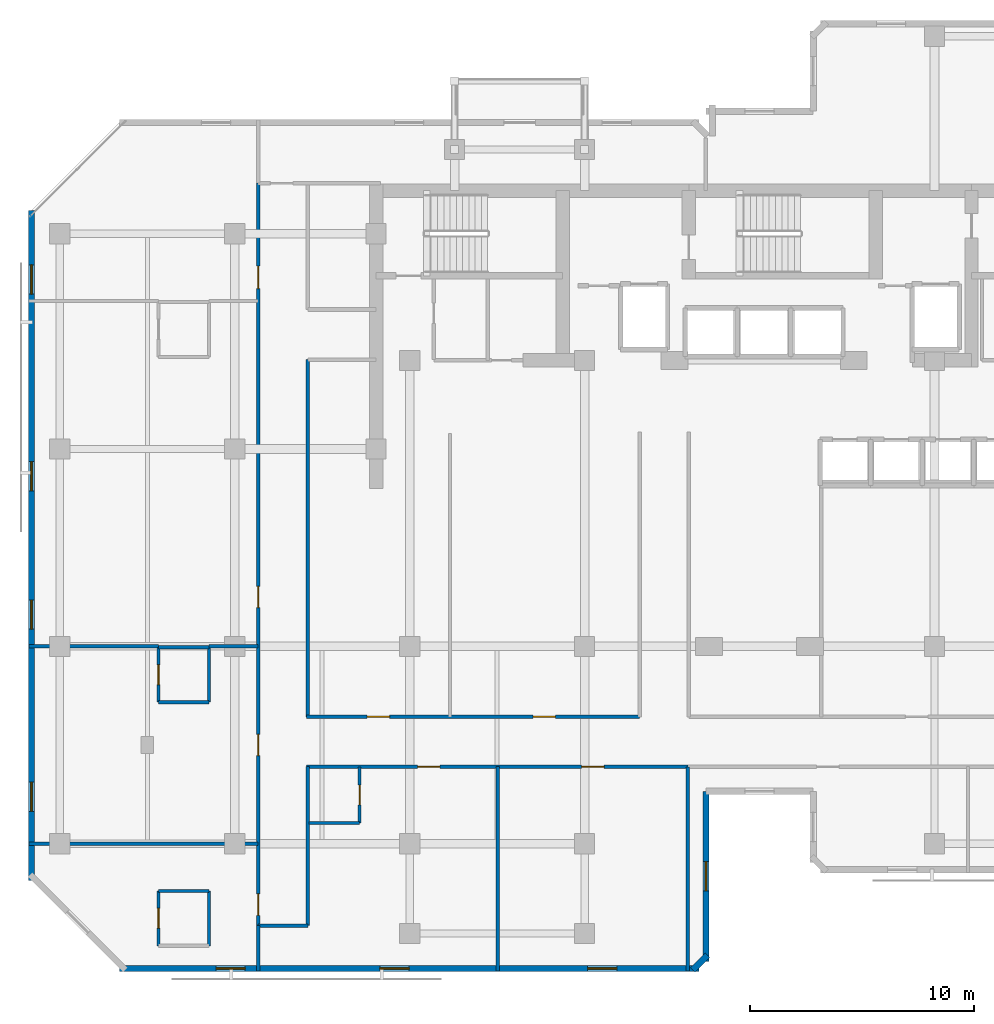
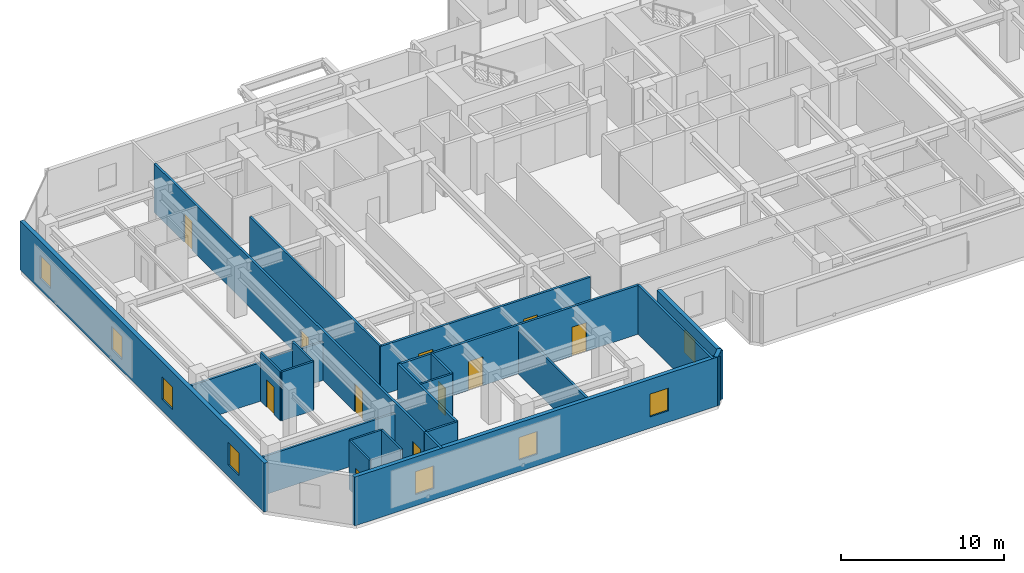
# One storey, part 4 of 10: 25 walls, 11 doors, 8 windows, 19 openings.
"""IFC4 building model written with IfcOpenShell, lengths in metres."""

from ifc_helpers import new_model, si_unit, direction, frame, frame_2d, origin, place, context, subcontext, project, spatial, rectangle, extrude, material, layer, layer_set, type_object, element, fill, save


model = new_model("IFC4")

# Units and contexts
model_context = context("Model", 3, precision=1e-05, world=origin(), true_north=direction((0.0, 1.0)))
body_context = subcontext(model_context, "Body", "Model", "MODEL_VIEW")
ifc_project = project(units=[si_unit("LENGTHUNIT", "METRE"), si_unit("AREAUNIT", "SQUARE_METRE"), si_unit("VOLUMEUNIT", "CUBIC_METRE"), si_unit("PLANEANGLEUNIT", "RADIAN"), si_unit("MASSUNIT", "GRAM", prefix="KILO")], contexts=[model_context])

# Site, building, storey
site_placement = place(None, origin())
site = spatial("IfcSite", under=ifc_project, at=site_placement, CompositionType="ELEMENT")
building_placement = place(site_placement, origin())
building = spatial("IfcBuilding", under=site, at=building_placement, Name="Kestravale Grand Hotel", CompositionType="ELEMENT")
storey_placement = place(building_placement, frame((0.0, 0.0, 212.39990234375)))
storey = spatial("IfcBuildingStorey", under=building, at=storey_placement, Name="L53", CompositionType="ELEMENT", Elevation=212.39990234375)

# Wall, openings, windows
ifc_material_1 = material(Name="Precast concrete f'c 45 MPa", Category="concrete")
ifc_layer_1 = layer(ifc_material_1, 0.280029296875)
ifc_layer_set_1 = layer_set([ifc_layer_1], Name="EW-PREC-280")
wall_type_1 = type_object("IfcWallType", Name="EW-PREC-280", PredefinedType="SOLIDWALL", material=ifc_layer_set_1)
wall_1_placement = place(storey_placement, frame((10.4599609375, 5.639892578125, 0.0), z_axis=(0.0, 0.0, 1.0), x_axis=(1.0, 0.0, 0.0)))
wall_1 = element("IfcWall", 1, at=wall_1_placement, inside=storey, type_object=wall_type_1, Name="L53 fluted precast facade wall 1", PredefinedType="SOLIDWALL", context=body_context, shape_type="SweptSolid", body=[
    extrude(rectangle(XDim=25.830078125, YDim=0.280029296875, at=frame_2d((12.9150390625, 0.0))), origin(), (0.0, 0.0, 1.0), 3.650146484375),
])
opening_1_placement = place(wall_1_placement, frame((4.304931640625, 0.0, 0.85009765625)))
opening_1 = element("IfcOpeningElement", 2, at=opening_1_placement, cuts=wall_1, Name="Opening W-GUEST-1300", PredefinedType="OPENING", context=body_context, shape_type="SweptSolid", body=[
    extrude(rectangle(XDim=1.300048828125, YDim=1.699951171875, at=frame_2d((0.64990234375, 0.85009765625))), frame((0.0, 0.14990234375, 0.0), z_axis=(0.0, -1.0, 0.0), x_axis=(1.0, 0.0, 0.0)), (0.0, 0.0, 1.0), 0.300048828125),
])
opening_2_placement = place(wall_1_placement, frame((11.614990234375, 0.0, 0.85009765625)))
opening_2 = element("IfcOpeningElement", 3, at=opening_2_placement, cuts=wall_1, Name="Opening W-GUEST-1300", PredefinedType="OPENING", context=body_context, shape_type="SweptSolid", body=[
    extrude(rectangle(XDim=1.300048828125, YDim=1.699951171875, at=frame_2d((0.64990234375, 0.85009765625))), frame((0.0, 0.14990234375, 0.0), z_axis=(0.0, -1.0, 0.0), x_axis=(1.0, 0.0, 0.0)), (0.0, 0.0, 1.0), 0.300048828125),
])
opening_3_placement = place(wall_1_placement, frame((20.875, 0.0, 0.85009765625)))
opening_3 = element("IfcOpeningElement", 4, at=opening_3_placement, cuts=wall_1, Name="Opening W-GUEST-1300", PredefinedType="OPENING", context=body_context, shape_type="SweptSolid", body=[
    extrude(rectangle(XDim=1.300048828125, YDim=1.699951171875, at=frame_2d((0.64990234375, 0.85009765625))), frame((0.0, 0.14990234375, 0.0), z_axis=(0.0, -1.0, 0.0), x_axis=(1.0, 0.0, 0.0)), (0.0, 0.0, 1.0), 0.300048828125),
])
ifc_material_2 = material(Name="Insulated low-E double glazing in aluminium frame", Category="aluminium")
window_type = type_object("IfcWindowType", Name="W-GUEST-1300", PartitioningType="SINGLE_PANEL", PredefinedType="WINDOW", material=ifc_material_2)
window_1_placement = place(opening_1_placement, origin())
window_1 = element("IfcWindow", 5, at=window_1_placement, inside=storey, type_object=window_type, Name="L53 exterior window 1.1", OverallHeight=1.699951171875, OverallWidth=1.300048828125, PartitioningType="SINGLE_PANEL", PredefinedType="WINDOW", context=body_context, shape_type="SweptSolid", body=[
    extrude(rectangle(XDim=1.300048828125, YDim=1.699951171875, at=frame_2d((0.64990234375, 0.85009765625))), frame((0.0, 0.030029296875, 0.0), z_axis=(0.0, -1.0, 0.0), x_axis=(1.0, 0.0, 0.0)), (0.0, 0.0, 1.0), 0.06005859375),
])
fill(opening_1, window_1)
window_2_placement = place(opening_2_placement, origin())
window_2 = element("IfcWindow", 6, at=window_2_placement, inside=storey, type_object=window_type, Name="L53 exterior window 1.2", OverallHeight=1.699951171875, OverallWidth=1.300048828125, PartitioningType="SINGLE_PANEL", PredefinedType="WINDOW", context=body_context, shape_type="SweptSolid", body=[
    extrude(rectangle(XDim=1.300048828125, YDim=1.699951171875, at=frame_2d((0.64990234375, 0.85009765625))), frame((0.0, 0.030029296875, 0.0), z_axis=(0.0, -1.0, 0.0), x_axis=(1.0, 0.0, 0.0)), (0.0, 0.0, 1.0), 0.06005859375),
])
fill(opening_2, window_2)
window_3_placement = place(opening_3_placement, origin())
window_3 = element("IfcWindow", 7, at=window_3_placement, inside=storey, type_object=window_type, Name="L53 exterior window 1.3", OverallHeight=1.699951171875, OverallWidth=1.300048828125, PartitioningType="SINGLE_PANEL", PredefinedType="WINDOW", context=body_context, shape_type="SweptSolid", body=[
    extrude(rectangle(XDim=1.300048828125, YDim=1.699951171875, at=frame_2d((0.64990234375, 0.85009765625))), frame((0.0, 0.030029296875, 0.0), z_axis=(0.0, -1.0, 0.0), x_axis=(1.0, 0.0, 0.0)), (0.0, 0.0, 1.0), 0.06005859375),
])
fill(opening_3, window_3)

# Wall
wall_2_placement = place(storey_placement, frame((36.022705078125, 5.57080078125, 0.0), z_axis=(0.0, 0.0, 1.0), x_axis=(0.707106781187, 0.707106781187, 0.0)))
element("IfcWall", 8, at=wall_2_placement, inside=storey, type_object=wall_type_1, Name="L53 fluted precast facade wall 2", PredefinedType="SOLIDWALL", context=body_context, shape_type="SweptSolid", body=[
    extrude(rectangle(XDim=0.928466796875, YDim=0.280029296875, at=frame_2d((0.46435546875, 0.0))), origin(), (0.0, 0.0, 1.0), 3.650146484375),
])

# Wall, opening, window
wall_3_placement = place(storey_placement, frame((36.610107421875, 5.9599609375, 0.0), z_axis=(0.0, 0.0, 1.0), x_axis=(0.0, 1.0, 0.0)))
wall_3 = element("IfcWall", 9, at=wall_3_placement, inside=storey, type_object=wall_type_1, Name="L53 fluted precast facade wall 3", PredefinedType="SOLIDWALL", context=body_context, shape_type="SweptSolid", body=[
    extrude(rectangle(XDim=7.580078125, YDim=0.280029296875, at=frame_2d((3.7900390625, 0.0))), origin(), (0.0, 0.0, 1.0), 3.650146484375),
])
opening_4_placement = place(wall_3_placement, frame((3.139892578125, 0.0, 0.85009765625)))
opening_4 = element("IfcOpeningElement", 10, at=opening_4_placement, cuts=wall_3, Name="Opening W-GUEST-1300", PredefinedType="OPENING", context=body_context, shape_type="SweptSolid", body=[
    extrude(rectangle(XDim=1.300048828125, YDim=1.699951171875, at=frame_2d((0.64990234375, 0.85009765625))), frame((0.0, 0.14990234375, 0.0), z_axis=(0.0, -1.0, 0.0), x_axis=(1.0, 0.0, 0.0)), (0.0, 0.0, 1.0), 0.300048828125),
])
window_4_placement = place(opening_4_placement, origin())
window_4 = element("IfcWindow", 11, at=window_4_placement, inside=storey, type_object=window_type, Name="L53 exterior window 3.1", OverallHeight=1.699951171875, OverallWidth=1.300048828125, PartitioningType="SINGLE_PANEL", PredefinedType="WINDOW", context=body_context, shape_type="SweptSolid", body=[
    extrude(rectangle(XDim=1.300048828125, YDim=1.699951171875, at=frame_2d((0.64990234375, 0.85009765625))), frame((0.0, 0.030029296875, 0.0), z_axis=(0.0, -1.0, 0.0), x_axis=(1.0, 0.0, 0.0)), (0.0, 0.0, 1.0), 0.06005859375),
])
fill(opening_4, window_4)

# Wall, openings, windows
wall_4_placement = place(storey_placement, frame((6.5400390625, 39.43994140625, 0.0), z_axis=(0.0, 0.0, 1.0), x_axis=(0.0, -1.0, 0.0)))
wall_4 = element("IfcWall", 12, at=wall_4_placement, inside=storey, type_object=wall_type_1, Name="L53 fluted precast facade wall 19", PredefinedType="SOLIDWALL", context=body_context, shape_type="SweptSolid", body=[
    extrude(rectangle(XDim=29.8798828125, YDim=0.280029296875, at=frame_2d((14.93994140625, 0.0))), origin(), (0.0, 0.0, 1.0), 3.650146484375),
])
opening_5_placement = place(wall_4_placement, frame((2.43505859375, 0.0, 0.85009765625)))
opening_5 = element("IfcOpeningElement", 13, at=opening_5_placement, cuts=wall_4, Name="Opening W-GUEST-1300", PredefinedType="OPENING", context=body_context, shape_type="SweptSolid", body=[
    extrude(rectangle(XDim=1.300048828125, YDim=1.699951171875, at=frame_2d((0.64990234375, 0.85009765625))), frame((0.0, 0.14990234375, 0.0), z_axis=(0.0, -1.0, 0.0), x_axis=(1.0, 0.0, 0.0)), (0.0, 0.0, 1.0), 0.300048828125),
])
opening_6_placement = place(wall_4_placement, frame((11.205078125, 0.0, 0.85009765625)))
opening_6 = element("IfcOpeningElement", 14, at=opening_6_placement, cuts=wall_4, Name="Opening W-GUEST-1300", PredefinedType="OPENING", context=body_context, shape_type="SweptSolid", body=[
    extrude(rectangle(XDim=1.300048828125, YDim=1.699951171875, at=frame_2d((0.64990234375, 0.85009765625))), frame((0.0, 0.14990234375, 0.0), z_axis=(0.0, -1.0, 0.0), x_axis=(1.0, 0.0, 0.0)), (0.0, 0.0, 1.0), 0.300048828125),
])
opening_7_placement = place(wall_4_placement, frame((17.375, 0.0, 0.85009765625)))
opening_7 = element("IfcOpeningElement", 15, at=opening_7_placement, cuts=wall_4, Name="Opening W-GUEST-1300", PredefinedType="OPENING", context=body_context, shape_type="SweptSolid", body=[
    extrude(rectangle(XDim=1.300048828125, YDim=1.699951171875, at=frame_2d((0.64990234375, 0.85009765625))), frame((0.0, 0.14990234375, 0.0), z_axis=(0.0, -1.0, 0.0), x_axis=(1.0, 0.0, 0.0)), (0.0, 0.0, 1.0), 0.300048828125),
])
opening_8_placement = place(wall_4_placement, frame((25.4951171875, 0.0, 0.85009765625)))
opening_8 = element("IfcOpeningElement", 16, at=opening_8_placement, cuts=wall_4, Name="Opening W-GUEST-1300", PredefinedType="OPENING", context=body_context, shape_type="SweptSolid", body=[
    extrude(rectangle(XDim=1.300048828125, YDim=1.699951171875, at=frame_2d((0.64990234375, 0.85009765625))), frame((0.0, 0.14990234375, 0.0), z_axis=(0.0, -1.0, 0.0), x_axis=(1.0, 0.0, 0.0)), (0.0, 0.0, 1.0), 0.300048828125),
])
window_5_placement = place(opening_5_placement, origin())
window_5 = element("IfcWindow", 17, at=window_5_placement, inside=storey, type_object=window_type, Name="L53 exterior window 19.1", OverallHeight=1.699951171875, OverallWidth=1.300048828125, PartitioningType="SINGLE_PANEL", PredefinedType="WINDOW", context=body_context, shape_type="SweptSolid", body=[
    extrude(rectangle(XDim=1.300048828125, YDim=1.699951171875, at=frame_2d((0.64990234375, 0.85009765625))), frame((0.0, 0.030029296875, 0.0), z_axis=(0.0, -1.0, 0.0), x_axis=(1.0, 0.0, 0.0)), (0.0, 0.0, 1.0), 0.06005859375),
])
fill(opening_5, window_5)
window_6_placement = place(opening_6_placement, origin())
window_6 = element("IfcWindow", 18, at=window_6_placement, inside=storey, type_object=window_type, Name="L53 exterior window 19.2", OverallHeight=1.699951171875, OverallWidth=1.300048828125, PartitioningType="SINGLE_PANEL", PredefinedType="WINDOW", context=body_context, shape_type="SweptSolid", body=[
    extrude(rectangle(XDim=1.300048828125, YDim=1.699951171875, at=frame_2d((0.64990234375, 0.85009765625))), frame((0.0, 0.030029296875, 0.0), z_axis=(0.0, -1.0, 0.0), x_axis=(1.0, 0.0, 0.0)), (0.0, 0.0, 1.0), 0.06005859375),
])
fill(opening_6, window_6)
window_7_placement = place(opening_7_placement, origin())
window_7 = element("IfcWindow", 19, at=window_7_placement, inside=storey, type_object=window_type, Name="L53 exterior window 19.3", OverallHeight=1.699951171875, OverallWidth=1.300048828125, PartitioningType="SINGLE_PANEL", PredefinedType="WINDOW", context=body_context, shape_type="SweptSolid", body=[
    extrude(rectangle(XDim=1.300048828125, YDim=1.699951171875, at=frame_2d((0.64990234375, 0.85009765625))), frame((0.0, 0.030029296875, 0.0), z_axis=(0.0, -1.0, 0.0), x_axis=(1.0, 0.0, 0.0)), (0.0, 0.0, 1.0), 0.06005859375),
])
fill(opening_7, window_7)
window_8_placement = place(opening_8_placement, origin())
window_8 = element("IfcWindow", 20, at=window_8_placement, inside=storey, type_object=window_type, Name="L53 exterior window 19.4", OverallHeight=1.699951171875, OverallWidth=1.300048828125, PartitioningType="SINGLE_PANEL", PredefinedType="WINDOW", context=body_context, shape_type="SweptSolid", body=[
    extrude(rectangle(XDim=1.300048828125, YDim=1.699951171875, at=frame_2d((0.64990234375, 0.85009765625))), frame((0.0, 0.030029296875, 0.0), z_axis=(0.0, -1.0, 0.0), x_axis=(1.0, 0.0, 0.0)), (0.0, 0.0, 1.0), 0.06005859375),
])
fill(opening_8, window_8)

# Wall, openings, doors
ifc_material_3 = material(Name="Acoustic fire-rated gypsum board partition", Category="other")
ifc_layer_2 = layer(ifc_material_3, 0.159912109375)
ifc_layer_set_2 = layer_set([ifc_layer_2], Name="IW-CORR-160")
wall_type_2 = type_object("IfcWallType", Name="IW-CORR-160", PredefinedType="PARTITIONING", material=ifc_layer_set_2)
wall_5_placement = place(storey_placement, frame((18.800048828125, 16.860107421875, 0.0), z_axis=(0.0, 0.0, 1.0), x_axis=(1.0, 0.0, 0.0)))
wall_5 = element("IfcWall", 21, at=wall_5_placement, inside=storey, type_object=wall_type_2, Name="W-L53-CW-N", PredefinedType="PARTITIONING", context=body_context, shape_type="SweptSolid", body=[
    extrude(rectangle(XDim=14.849853515625, YDim=0.159912109375, at=frame_2d((7.4248046875, 0.0))), origin(), (0.0, 0.0, 1.0), 3.650146484375),
])
opening_9_placement = place(wall_5_placement, frame((2.699951171875, 0.0, 0.0)))
opening_9 = element("IfcOpeningElement", 22, at=opening_9_placement, cuts=wall_5, Name="Opening D-GUEST-1000", PredefinedType="OPENING", context=body_context, shape_type="SweptSolid", body=[
    extrude(rectangle(XDim=1.0, YDim=2.14990234375, at=frame_2d((0.5, 1.074951171875))), frame((0.0, 0.08984375, 0.0), z_axis=(0.0, -1.0, 0.0), x_axis=(1.0, 0.0, 0.0)), (0.0, 0.0, 1.0), 0.179931640625),
])
opening_10_placement = place(wall_5_placement, frame((10.10009765625, 0.0, 0.0)))
opening_10 = element("IfcOpeningElement", 23, at=opening_10_placement, cuts=wall_5, Name="Opening D-GUEST-1000", PredefinedType="OPENING", context=body_context, shape_type="SweptSolid", body=[
    extrude(rectangle(XDim=1.0, YDim=2.14990234375, at=frame_2d((0.5, 1.074951171875))), frame((0.0, 0.08984375, 0.0), z_axis=(0.0, -1.0, 0.0), x_axis=(1.0, 0.0, 0.0)), (0.0, 0.0, 1.0), 0.179931640625),
])
ifc_material_4 = material(Name="Accessible walnut veneer hotel entrance fire door", Category="wood")
door_type_1 = type_object("IfcDoorType", Name="D-GUEST-1000", OperationType="NOTDEFINED", PredefinedType="DOOR", material=ifc_material_4)
door_1_placement = place(opening_9_placement, origin())
door_1 = element("IfcDoor", 24, at=door_1_placement, inside=storey, type_object=door_type_1, Name="D-L53-RECL-W1", OperationType="SINGLE_SWING_LEFT", OverallHeight=2.14990234375, OverallWidth=1.0, PredefinedType="DOOR", context=body_context, shape_type="SweptSolid", body=[
    extrude(rectangle(XDim=1.0, YDim=2.14990234375, at=frame_2d((0.5, 1.074951171875))), frame((0.0, 0.02490234375, 0.0), z_axis=(0.0, -1.0, 0.0), x_axis=(1.0, 0.0, 0.0)), (0.0, 0.0, 1.0), 0.050048828125),
])
fill(opening_9, door_1)
door_2_placement = place(opening_10_placement, origin())
door_2 = element("IfcDoor", 25, at=door_2_placement, inside=storey, type_object=door_type_1, Name="D-L53-RECL-W2", OperationType="SINGLE_SWING_RIGHT", OverallHeight=2.14990234375, OverallWidth=1.0, PredefinedType="DOOR", context=body_context, shape_type="SweptSolid", body=[
    extrude(rectangle(XDim=1.0, YDim=2.14990234375, at=frame_2d((0.5, 1.074951171875))), frame((0.0, 0.02490234375, 0.0), z_axis=(0.0, -1.0, 0.0), x_axis=(1.0, 0.0, 0.0)), (0.0, 0.0, 1.0), 0.050048828125),
])
fill(opening_10, door_2)

wall_6_placement = place(storey_placement, frame((18.800048828125, 14.639892578125, 0.0), z_axis=(0.0, 0.0, 1.0), x_axis=(1.0, 0.0, 0.0)))
wall_6 = element("IfcWall", 26, at=wall_6_placement, inside=storey, type_object=wall_type_2, Name="W-L53-CW-S", PredefinedType="PARTITIONING", context=body_context, shape_type="SweptSolid", body=[
    extrude(rectangle(XDim=17.0, YDim=0.159912109375, at=frame_2d((8.5, 0.0))), origin(), (0.0, 0.0, 1.0), 3.650146484375),
])
opening_11_placement = place(wall_6_placement, frame((4.949951171875, 0.0, 0.0)))
opening_11 = element("IfcOpeningElement", 27, at=opening_11_placement, cuts=wall_6, Name="Opening D-GUEST-1000", PredefinedType="OPENING", context=body_context, shape_type="SweptSolid", body=[
    extrude(rectangle(XDim=1.0, YDim=2.14990234375, at=frame_2d((0.5, 1.074951171875))), frame((0.0, 0.08984375, 0.0), z_axis=(0.0, -1.0, 0.0), x_axis=(1.0, 0.0, 0.0)), (0.0, 0.0, 1.0), 0.179931640625),
])
opening_12_placement = place(wall_6_placement, frame((12.264892578125, 0.0, 0.0)))
opening_12 = element("IfcOpeningElement", 28, at=opening_12_placement, cuts=wall_6, Name="Opening D-GUEST-1000", PredefinedType="OPENING", context=body_context, shape_type="SweptSolid", body=[
    extrude(rectangle(XDim=1.0, YDim=2.14990234375, at=frame_2d((0.5, 1.074951171875))), frame((0.0, 0.08984375, 0.0), z_axis=(0.0, -1.0, 0.0), x_axis=(1.0, 0.0, 0.0)), (0.0, 0.0, 1.0), 0.179931640625),
])
door_3_placement = place(opening_11_placement, origin())
door_3 = element("IfcDoor", 29, at=door_3_placement, inside=storey, type_object=door_type_1, Name="D-L53-U01-ENT", OperationType="SINGLE_SWING_RIGHT", OverallHeight=2.14990234375, OverallWidth=1.0, PredefinedType="DOOR", context=body_context, shape_type="SweptSolid", body=[
    extrude(rectangle(XDim=1.0, YDim=2.14990234375, at=frame_2d((0.5, 1.074951171875))), frame((0.0, 0.02490234375, 0.0), z_axis=(0.0, -1.0, 0.0), x_axis=(1.0, 0.0, 0.0)), (0.0, 0.0, 1.0), 0.050048828125),
])
fill(opening_11, door_3)
door_4_placement = place(opening_12_placement, origin())
door_4 = element("IfcDoor", 30, at=door_4_placement, inside=storey, type_object=door_type_1, Name="D-L53-AMW", OperationType="SINGLE_SWING_LEFT", OverallHeight=2.14990234375, OverallWidth=1.0, PredefinedType="DOOR", context=body_context, shape_type="SweptSolid", body=[
    extrude(rectangle(XDim=1.0, YDim=2.14990234375, at=frame_2d((0.5, 1.074951171875))), frame((0.0, 0.02490234375, 0.0), z_axis=(0.0, -1.0, 0.0), x_axis=(1.0, 0.0, 0.0)), (0.0, 0.0, 1.0), 0.050048828125),
])
fill(opening_12, door_4)

wall_7_placement = place(storey_placement, frame((16.639892578125, 7.550048828125, 0.0), z_axis=(0.0, 0.0, 1.0), x_axis=(0.0, 1.0, 0.0)))
wall_7 = element("IfcWall", 31, at=wall_7_placement, inside=storey, type_object=wall_type_2, Name="W-L53-SW-W", PredefinedType="PARTITIONING", context=body_context, shape_type="SweptSolid", body=[
    extrude(rectangle(XDim=33.099853515625, YDim=0.159912109375, at=frame_2d((16.5498046875, 0.0))), origin(), (0.0, 0.0, 1.0), 3.650146484375),
])
opening_13_placement = place(wall_7_placement, frame((0.4599609375, 0.0, 0.0)))
opening_13 = element("IfcOpeningElement", 32, at=opening_13_placement, cuts=wall_7, Name="Opening D-GUEST-950", PredefinedType="OPENING", context=body_context, shape_type="SweptSolid", body=[
    extrude(rectangle(XDim=0.949951171875, YDim=2.10009765625, at=frame_2d((0.47509765625, 1.050048828125))), frame((0.0, 0.08984375, 0.0), z_axis=(0.0, -1.0, 0.0), x_axis=(1.0, 0.0, 0.0)), (0.0, 0.0, 1.0), 0.179931640625),
])
opening_14_placement = place(wall_7_placement, frame((7.574951171875, 0.0, 0.0)))
opening_14 = element("IfcOpeningElement", 33, at=opening_14_placement, cuts=wall_7, Name="Opening D-GUEST-950", PredefinedType="OPENING", context=body_context, shape_type="SweptSolid", body=[
    extrude(rectangle(XDim=0.949951171875, YDim=2.10009765625, at=frame_2d((0.47509765625, 1.050048828125))), frame((0.0, 0.08984375, 0.0), z_axis=(0.0, -1.0, 0.0), x_axis=(1.0, 0.0, 0.0)), (0.0, 0.0, 1.0), 0.179931640625),
])
opening_15_placement = place(wall_7_placement, frame((14.178466796875, 0.0, 0.0)))
opening_15 = element("IfcOpeningElement", 34, at=opening_15_placement, cuts=wall_7, Name="Opening D-GUEST-950", PredefinedType="OPENING", context=body_context, shape_type="SweptSolid", body=[
    extrude(rectangle(XDim=0.949951171875, YDim=2.10009765625, at=frame_2d((0.47509765625, 1.050048828125))), frame((0.0, 0.08984375, 0.0), z_axis=(0.0, -1.0, 0.0), x_axis=(1.0, 0.0, 0.0)), (0.0, 0.0, 1.0), 0.179931640625),
])
opening_16_placement = place(wall_7_placement, frame((28.39990234375, 0.0, 0.0)))
opening_16 = element("IfcOpeningElement", 35, at=opening_16_placement, cuts=wall_7, Name="Opening D-GUEST-1000", PredefinedType="OPENING", context=body_context, shape_type="SweptSolid", body=[
    extrude(rectangle(XDim=1.0, YDim=2.14990234375, at=frame_2d((0.5, 1.074951171875))), frame((0.0, 0.08984375, 0.0), z_axis=(0.0, -1.0, 0.0), x_axis=(1.0, 0.0, 0.0)), (0.0, 0.0, 1.0), 0.179931640625),
])
door_5_placement = place(opening_16_placement, origin())
door_5 = element("IfcDoor", 36, at=door_5_placement, inside=storey, type_object=door_type_1, Name="D-L53-AMWW", OperationType="SINGLE_SWING_LEFT", OverallHeight=2.14990234375, OverallWidth=1.0, PredefinedType="DOOR", context=body_context, shape_type="SweptSolid", body=[
    extrude(rectangle(XDim=1.0, YDim=2.14990234375, at=frame_2d((0.5, 1.074951171875))), frame((0.0, 0.02490234375, 0.0), z_axis=(0.0, -1.0, 0.0), x_axis=(1.0, 0.0, 0.0)), (0.0, 0.0, 1.0), 0.050048828125),
])
fill(opening_16, door_5)
ifc_material_5 = material(Name="Walnut veneer hotel guestroom entrance fire door", Category="wood")
door_type_2 = type_object("IfcDoorType", Name="D-GUEST-950", OperationType="NOTDEFINED", PredefinedType="DOOR", material=ifc_material_5)
door_6_placement = place(opening_13_placement, origin())
door_6 = element("IfcDoor", 37, at=door_6_placement, inside=storey, type_object=door_type_2, Name="D-L53-U02-ENT", OperationType="SINGLE_SWING_RIGHT", OverallHeight=2.10009765625, OverallWidth=0.949951171875, PredefinedType="DOOR", context=body_context, shape_type="SweptSolid", body=[
    extrude(rectangle(XDim=0.949951171875, YDim=2.10009765625, at=frame_2d((0.47509765625, 1.050048828125))), frame((0.0, 0.02490234375, 0.0), z_axis=(0.0, -1.0, 0.0), x_axis=(1.0, 0.0, 0.0)), (0.0, 0.0, 1.0), 0.050048828125),
])
fill(opening_13, door_6)
door_7_placement = place(opening_14_placement, origin())
door_7 = element("IfcDoor", 38, at=door_7_placement, inside=storey, type_object=door_type_2, Name="D-L53-U03-ENT", OperationType="SINGLE_SWING_RIGHT", OverallHeight=2.10009765625, OverallWidth=0.949951171875, PredefinedType="DOOR", context=body_context, shape_type="SweptSolid", body=[
    extrude(rectangle(XDim=0.949951171875, YDim=2.10009765625, at=frame_2d((0.47509765625, 1.050048828125))), frame((0.0, 0.02490234375, 0.0), z_axis=(0.0, -1.0, 0.0), x_axis=(1.0, 0.0, 0.0)), (0.0, 0.0, 1.0), 0.050048828125),
])
fill(opening_14, door_7)
door_8_placement = place(opening_15_placement, origin())
door_8 = element("IfcDoor", 39, at=door_8_placement, inside=storey, type_object=door_type_2, Name="D-L53-U04-ENT", OperationType="SINGLE_SWING_RIGHT", OverallHeight=2.10009765625, OverallWidth=0.949951171875, PredefinedType="DOOR", context=body_context, shape_type="SweptSolid", body=[
    extrude(rectangle(XDim=0.949951171875, YDim=2.10009765625, at=frame_2d((0.47509765625, 1.050048828125))), frame((0.0, 0.02490234375, 0.0), z_axis=(0.0, -1.0, 0.0), x_axis=(1.0, 0.0, 0.0)), (0.0, 0.0, 1.0), 0.050048828125),
])
fill(opening_15, door_8)

# Wall
wall_8_placement = place(storey_placement, frame((18.860107421875, 7.550048828125, 0.0), z_axis=(0.0, 0.0, 1.0), x_axis=(0.0, 1.0, 0.0)))
element("IfcWall", 40, at=wall_8_placement, inside=storey, type_object=wall_type_2, Name="W-L53-SW-E", PredefinedType="PARTITIONING", context=body_context, shape_type="SweptSolid", body=[
    extrude(rectangle(XDim=7.08984375, YDim=0.159912109375, at=frame_2d((3.544921875, 0.0))), origin(), (0.0, 0.0, 1.0), 3.650146484375),
])

# Wall, opening, door
ifc_material_6 = material(Name="Moisture-resistant tile-backer plumbing chase wall", Category="other")
ifc_layer_3 = layer(ifc_material_6, 0.139892578125)
ifc_layer_set_3 = layer_set([ifc_layer_3], Name="IW-PLB-140")
wall_type_3 = type_object("IfcWallType", Name="IW-PLB-140", PredefinedType="PLUMBINGWALL", material=ifc_layer_set_3)
wall_9_placement = place(storey_placement, frame((21.169921875, 12.1298828125, 0.0), z_axis=(0.0, 0.0, 1.0), x_axis=(0.0, 1.0, 0.0)))
wall_9 = element("IfcWall", 41, at=wall_9_placement, inside=storey, type_object=wall_type_3, Name="W-L53-U01-BE", PredefinedType="PLUMBINGWALL", context=body_context, shape_type="SweptSolid", body=[
    extrude(rectangle(XDim=2.490234375, YDim=0.139892578125, at=frame_2d((1.2451171875, 0.0))), origin(), (0.0, 0.0, 1.0), 3.650146484375),
])
opening_17_placement = place(wall_9_placement, frame((0.804931640625, 0.0, 0.0)))
opening_17 = element("IfcOpeningElement", 42, at=opening_17_placement, cuts=wall_9, Name="Opening D-BATH-880", PredefinedType="OPENING", context=body_context, shape_type="SweptSolid", body=[
    extrude(rectangle(XDim=0.8798828125, YDim=2.050048828125, at=frame_2d((0.43994140625, 1.02490234375))), frame((0.0, 0.079833984375, 0.0), z_axis=(0.0, -1.0, 0.0), x_axis=(1.0, 0.0, 0.0)), (0.0, 0.0, 1.0), 0.159912109375),
])
ifc_material_7 = material(Name="Moisture-sealed walnut en-suite bathroom door", Category="wood")
door_type_3 = type_object("IfcDoorType", Name="D-BATH-880", OperationType="NOTDEFINED", PredefinedType="DOOR", material=ifc_material_7)
door_9_placement = place(opening_17_placement, origin())
door_9 = element("IfcDoor", 43, at=door_9_placement, inside=storey, type_object=door_type_3, Name="D-L53-U01-BATH", OperationType="SINGLE_SWING_LEFT", OverallHeight=2.050048828125, OverallWidth=0.8798828125, PredefinedType="DOOR", context=body_context, shape_type="SweptSolid", body=[
    extrude(rectangle(XDim=0.8798828125, YDim=2.050048828125, at=frame_2d((0.43994140625, 1.02490234375))), frame((0.0, 0.02490234375, 0.0), z_axis=(0.0, -1.0, 0.0), x_axis=(1.0, 0.0, 0.0)), (0.0, 0.0, 1.0), 0.050048828125),
])
fill(opening_17, door_9)

# Wall
wall_10_placement = place(storey_placement, frame((18.919921875, 12.1298828125, 0.0), z_axis=(0.0, 0.0, 1.0), x_axis=(1.0, 0.0, 0.0)))
element("IfcWall", 44, at=wall_10_placement, inside=storey, type_object=wall_type_3, Name="W-L53-U01-BS", PredefinedType="PLUMBINGWALL", context=body_context, shape_type="SweptSolid", body=[
    extrude(rectangle(XDim=2.25, YDim=0.139892578125, at=frame_2d((1.125, 0.0))), origin(), (0.0, 0.0, 1.0), 3.650146484375),
])

# Wall, opening, door
wall_11_placement = place(storey_placement, frame((12.199951171875, 6.64990234375, 0.0), z_axis=(0.0, 0.0, 1.0), x_axis=(0.0, 1.0, 0.0)))
wall_11 = element("IfcWall", 45, at=wall_11_placement, inside=storey, type_object=wall_type_3, Name="W-L53-U02-BW", PredefinedType="PLUMBINGWALL", context=body_context, shape_type="SweptSolid", body=[
    extrude(rectangle(XDim=2.4501953125, YDim=0.139892578125, at=frame_2d((1.22509765625, 0.0))), origin(), (0.0, 0.0, 1.0), 3.650146484375),
])
opening_18_placement = place(wall_11_placement, frame((0.784912109375, 0.0, 0.0)))
opening_18 = element("IfcOpeningElement", 46, at=opening_18_placement, cuts=wall_11, Name="Opening D-BATH-880", PredefinedType="OPENING", context=body_context, shape_type="SweptSolid", body=[
    extrude(rectangle(XDim=0.8798828125, YDim=2.050048828125, at=frame_2d((0.43994140625, 1.02490234375))), frame((0.0, 0.079833984375, 0.0), z_axis=(0.0, -1.0, 0.0), x_axis=(1.0, 0.0, 0.0)), (0.0, 0.0, 1.0), 0.159912109375),
])
door_10_placement = place(opening_18_placement, origin())
door_10 = element("IfcDoor", 47, at=door_10_placement, inside=storey, type_object=door_type_3, Name="D-L53-U02-BATH", OperationType="SINGLE_SWING_LEFT", OverallHeight=2.050048828125, OverallWidth=0.8798828125, PredefinedType="DOOR", context=body_context, shape_type="SweptSolid", body=[
    extrude(rectangle(XDim=0.8798828125, YDim=2.050048828125, at=frame_2d((0.43994140625, 1.02490234375))), frame((0.0, 0.02490234375, 0.0), z_axis=(0.0, -1.0, 0.0), x_axis=(1.0, 0.0, 0.0)), (0.0, 0.0, 1.0), 0.050048828125),
])
fill(opening_18, door_10)

# Walls
wall_12_placement = place(storey_placement, frame((14.449951171875, 6.64990234375, 0.0), z_axis=(0.0, 0.0, 1.0), x_axis=(0.0, 1.0, 0.0)))
element("IfcWall", 48, at=wall_12_placement, inside=storey, type_object=wall_type_3, Name="W-L53-U02-BE", PredefinedType="PLUMBINGWALL", context=body_context, shape_type="SweptSolid", body=[
    extrude(rectangle(XDim=2.4501953125, YDim=0.139892578125, at=frame_2d((1.22509765625, 0.0))), origin(), (0.0, 0.0, 1.0), 3.650146484375),
])
wall_13_placement = place(storey_placement, frame((12.199951171875, 9.10009765625, 0.0), z_axis=(0.0, 0.0, 1.0), x_axis=(1.0, 0.0, 0.0)))
element("IfcWall", 49, at=wall_13_placement, inside=storey, type_object=wall_type_3, Name="W-L53-U02-BN", PredefinedType="PLUMBINGWALL", context=body_context, shape_type="SweptSolid", body=[
    extrude(rectangle(XDim=2.25, YDim=0.139892578125, at=frame_2d((1.125, 0.0))), origin(), (0.0, 0.0, 1.0), 3.650146484375),
])

# Wall, opening, door
wall_14_placement = place(storey_placement, frame((12.199951171875, 17.510009765625, 0.0), z_axis=(0.0, 0.0, 1.0), x_axis=(0.0, 1.0, 0.0)))
wall_14 = element("IfcWall", 50, at=wall_14_placement, inside=storey, type_object=wall_type_3, Name="W-L53-U03-BW", PredefinedType="PLUMBINGWALL", context=body_context, shape_type="SweptSolid", body=[
    extrude(rectangle(XDim=2.449951171875, YDim=0.139892578125, at=frame_2d((1.22509765625, 0.0))), origin(), (0.0, 0.0, 1.0), 3.650146484375),
])
opening_19_placement = place(wall_14_placement, frame((0.784912109375, 0.0, 0.0)))
opening_19 = element("IfcOpeningElement", 51, at=opening_19_placement, cuts=wall_14, Name="Opening D-BATH-880", PredefinedType="OPENING", context=body_context, shape_type="SweptSolid", body=[
    extrude(rectangle(XDim=0.8798828125, YDim=2.050048828125, at=frame_2d((0.43994140625, 1.02490234375))), frame((0.0, 0.079833984375, 0.0), z_axis=(0.0, -1.0, 0.0), x_axis=(1.0, 0.0, 0.0)), (0.0, 0.0, 1.0), 0.159912109375),
])
door_11_placement = place(opening_19_placement, origin())
door_11 = element("IfcDoor", 52, at=door_11_placement, inside=storey, type_object=door_type_3, Name="D-L53-U03-BATH", OperationType="SINGLE_SWING_LEFT", OverallHeight=2.050048828125, OverallWidth=0.8798828125, PredefinedType="DOOR", context=body_context, shape_type="SweptSolid", body=[
    extrude(rectangle(XDim=0.8798828125, YDim=2.050048828125, at=frame_2d((0.43994140625, 1.02490234375))), frame((0.0, 0.02490234375, 0.0), z_axis=(0.0, -1.0, 0.0), x_axis=(1.0, 0.0, 0.0)), (0.0, 0.0, 1.0), 0.050048828125),
])
fill(opening_19, door_11)

# Walls
wall_15_placement = place(storey_placement, frame((14.449951171875, 17.510009765625, 0.0), z_axis=(0.0, 0.0, 1.0), x_axis=(0.0, 1.0, 0.0)))
element("IfcWall", 53, at=wall_15_placement, inside=storey, type_object=wall_type_3, Name="W-L53-U03-BE", PredefinedType="PLUMBINGWALL", context=body_context, shape_type="SweptSolid", body=[
    extrude(rectangle(XDim=2.449951171875, YDim=0.139892578125, at=frame_2d((1.22509765625, 0.0))), origin(), (0.0, 0.0, 1.0), 3.650146484375),
])
wall_16_placement = place(storey_placement, frame((12.199951171875, 17.510009765625, 0.0), z_axis=(0.0, 0.0, 1.0), x_axis=(1.0, 0.0, 0.0)))
element("IfcWall", 54, at=wall_16_placement, inside=storey, type_object=wall_type_3, Name="W-L53-U03-BS", PredefinedType="PLUMBINGWALL", context=body_context, shape_type="SweptSolid", body=[
    extrude(rectangle(XDim=2.25, YDim=0.139892578125, at=frame_2d((1.125, 0.0))), origin(), (0.0, 0.0, 1.0), 3.650146484375),
])
wall_17_placement = place(storey_placement, frame((12.199951171875, 19.9599609375, 0.0), z_axis=(0.0, 0.0, 1.0), x_axis=(1.0, 0.0, 0.0)))
element("IfcWall", 55, at=wall_17_placement, inside=storey, type_object=wall_type_3, Name="W-L53-U03-BN", PredefinedType="PLUMBINGWALL", context=body_context, shape_type="SweptSolid", body=[
    extrude(rectangle(XDim=2.25, YDim=0.139892578125, at=frame_2d((1.125, 0.0))), origin(), (0.0, 0.0, 1.0), 3.0380859375),
])
ifc_material_8 = material(Name="Double-stud STC 52 acoustic demising partition", Category="other")
ifc_layer_4 = layer(ifc_material_8, 0.14990234375)
ifc_layer_set_4 = layer_set([ifc_layer_4], Name="IW-UNIT-150")
wall_type_4 = type_object("IfcWallType", Name="IW-UNIT-150", PredefinedType="PARTITIONING", material=ifc_layer_set_4)
wall_18_placement = place(storey_placement, frame((16.639892578125, 7.550048828125, 0.0), z_axis=(0.0, 0.0, 1.0), x_axis=(1.0, 0.0, 0.0)))
element("IfcWall", 56, at=wall_18_placement, inside=storey, type_object=wall_type_4, Name="W-L53-SW-S", PredefinedType="PARTITIONING", context=body_context, shape_type="SweptSolid", body=[
    extrude(rectangle(XDim=2.22021484375, YDim=0.14990234375, at=frame_2d((1.110107421875, 0.0))), origin(), (0.0, 0.0, 1.0), 3.650146484375),
])
wall_19_placement = place(storey_placement, frame((18.860107421875, 16.860107421875, 0.0), z_axis=(0.0, 0.0, 1.0), x_axis=(0.0, 1.0, 0.0)))
element("IfcWall", 57, at=wall_19_placement, inside=storey, type_object=wall_type_4, Name="W-L53-RCLW-W", PredefinedType="PARTITIONING", context=body_context, shape_type="SweptSolid", body=[
    extrude(rectangle(XDim=15.93994140625, YDim=0.14990234375, at=frame_2d((7.969970703125, 0.0))), origin(), (0.0, 0.0, 1.0), 3.650146484375),
])
wall_20_placement = place(storey_placement, frame((27.330078125, 5.52001953125, 0.0), z_axis=(0.0, 0.0, 1.0), x_axis=(0.0, 1.0, 0.0)))
element("IfcWall", 58, at=wall_20_placement, inside=storey, type_object=wall_type_4, Name="W-L53-WS-1", PredefinedType="PARTITIONING", context=body_context, shape_type="SweptSolid", body=[
    extrude(rectangle(XDim=9.119873046875, YDim=0.14990234375, at=frame_2d((4.56005859375, 0.0))), origin(), (0.0, 0.0, 1.0), 3.24609375),
])
wall_21_placement = place(storey_placement, frame((35.800048828125, 5.52001953125, 0.0), z_axis=(0.0, 0.0, 1.0), x_axis=(0.0, 1.0, 0.0)))
element("IfcWall", 59, at=wall_21_placement, inside=storey, type_object=wall_type_4, Name="W-L53-MID-S", PredefinedType="PARTITIONING", context=body_context, shape_type="SweptSolid", body=[
    extrude(rectangle(XDim=9.10009765625, YDim=0.14990234375, at=frame_2d((4.550048828125, 0.0))), origin(), (0.0, 0.0, 1.0), 3.650146484375),
])
wall_22_placement = place(storey_placement, frame((16.639892578125, 5.52001953125, 0.0), z_axis=(0.0, 0.0, 1.0), x_axis=(0.0, 1.0, 0.0)))
element("IfcWall", 60, at=wall_22_placement, inside=storey, type_object=wall_type_4, Name="W-L53-SW-EXT", PredefinedType="PARTITIONING", context=body_context, shape_type="SweptSolid", body=[
    extrude(rectangle(XDim=2.030029296875, YDim=0.14990234375, at=frame_2d((1.01513671875, 0.0))), origin(), (0.0, 0.0, 1.0), 3.650146484375),
])
wall_23_placement = place(storey_placement, frame((6.419921875, 11.199951171875, 0.0), z_axis=(0.0, 0.0, 1.0), x_axis=(1.0, 0.0, 0.0)))
element("IfcWall", 61, at=wall_23_placement, inside=storey, type_object=wall_type_4, Name="W-L53-WW-1", PredefinedType="PARTITIONING", context=body_context, shape_type="SweptSolid", body=[
    extrude(rectangle(XDim=10.219970703125, YDim=0.14990234375, at=frame_2d((5.10986328125, 0.0))), origin(), (0.0, 0.0, 1.0), 2.878173828125),
])
wall_24_placement = place(storey_placement, frame((6.419921875, 20.0, 0.0), z_axis=(0.0, 0.0, 1.0), x_axis=(1.0, 0.0, 0.0)))
element("IfcWall", 62, at=wall_24_placement, inside=storey, type_object=wall_type_4, Name="W-L53-WW-2", PredefinedType="PARTITIONING", context=body_context, shape_type="SweptSolid", body=[
    extrude(rectangle(XDim=5.780029296875, YDim=0.14990234375, at=frame_2d((2.89013671875, 0.0))), origin(), (0.0, 0.0, 1.0), 2.878173828125),
])
wall_25_placement = place(storey_placement, frame((14.449951171875, 20.0, 0.0), z_axis=(0.0, 0.0, 1.0), x_axis=(1.0, 0.0, 0.0)))
element("IfcWall", 63, at=wall_25_placement, inside=storey, type_object=wall_type_4, Name="W-L53-WW-2", PredefinedType="PARTITIONING", context=body_context, shape_type="SweptSolid", body=[
    extrude(rectangle(XDim=2.18994140625, YDim=0.14990234375, at=frame_2d((1.094970703125, 0.0))), origin(), (0.0, 0.0, 1.0), 2.878173828125),
])

save(model, "model.ifc")
